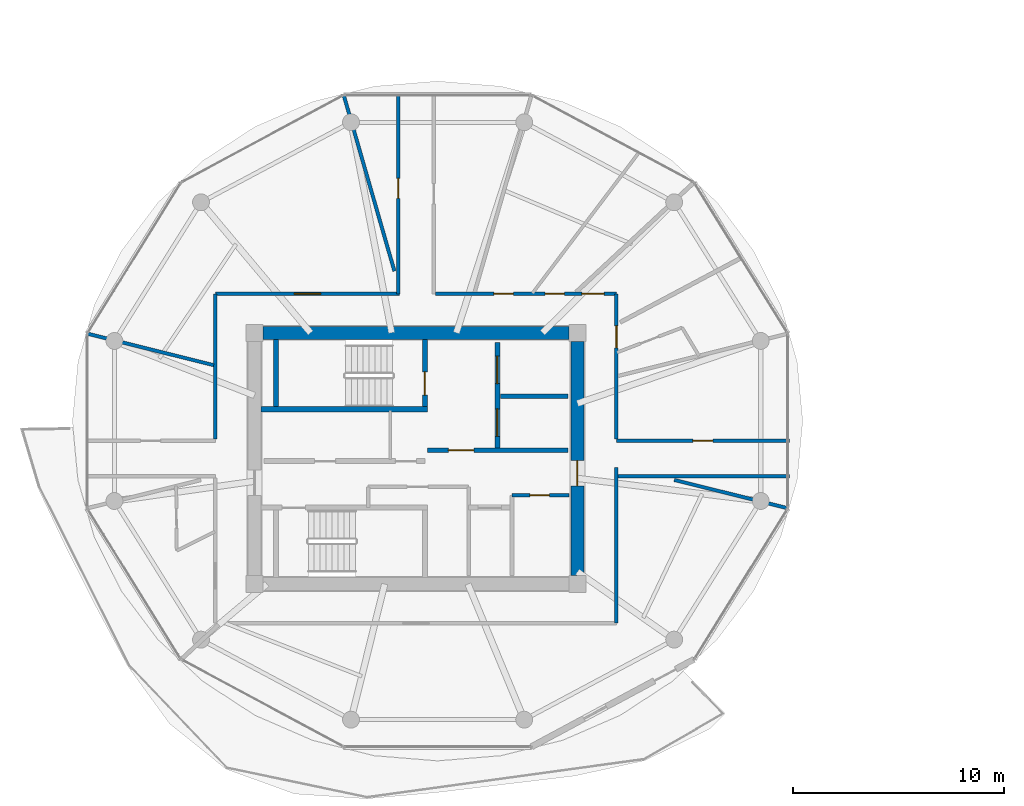
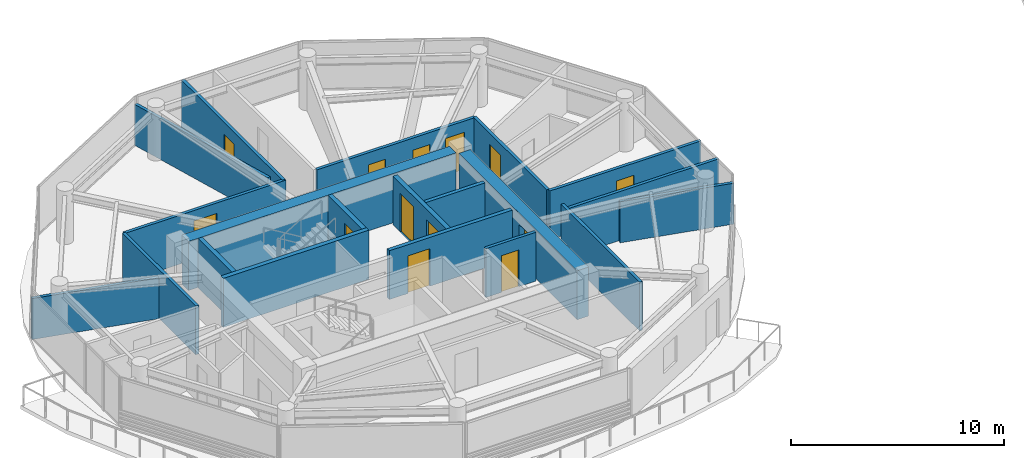
# One storey, part 13 of 23: 20 walls, 13 doors, 13 openings.
"""IFC4 building model written with IfcOpenShell, lengths in metres."""

from ifc_helpers import new_model, si_unit, direction, frame, frame_2d, origin, place, context, subcontext, project, spatial, rectangle, extrude, source, transform, mapped, material, layer, layer_set, type_object, type_shapes, element, fill, save


model = new_model("IFC4")

# Units and contexts
model_context = context("Model", 3, precision=1e-05, world=origin(), true_north=direction((0.0, 1.0)))
body_context = subcontext(model_context, "Body", "Model", "MODEL_VIEW")
ifc_project = project(units=[si_unit("LENGTHUNIT", "METRE"), si_unit("AREAUNIT", "SQUARE_METRE"), si_unit("VOLUMEUNIT", "CUBIC_METRE"), si_unit("PLANEANGLEUNIT", "RADIAN"), si_unit("MASSUNIT", "GRAM", prefix="KILO")], contexts=[model_context])

# Site, building, storey
site_placement = place(None, origin())
site = spatial("IfcSite", under=ifc_project, at=site_placement, CompositionType="ELEMENT")
building_placement = place(site_placement, origin())
building = spatial("IfcBuilding", under=site, at=building_placement, Name="Norrkilde Senior Care Towers", CompositionType="ELEMENT")
storey_placement = place(building_placement, frame((0.0, 0.0, 173.949951171875)))
storey = spatial("IfcBuildingStorey", under=building, at=storey_placement, Name="L54", CompositionType="ELEMENT", Elevation=173.949951171875)

# Wall
ifc_material_1 = material(Name="Concrete C50/60", Category="concrete")
ifc_layer_1 = layer(ifc_material_1, 0.6201171875)
ifc_layer_set_1 = layer_set([ifc_layer_1], Name="Concrete C50/60")
wall_type_1 = type_object("IfcWallType", Name="Core Shear Wall Z3 620", PredefinedType="SHEAR", material=ifc_layer_set_1)
shared_shape_1 = source(origin(), body_context, "Body", "SweptSolid", [
    extrude(rectangle(XDim=14.5, YDim=0.6201171875, at=frame_2d((7.25, 0.0))), origin(), (0.0, 0.0, 1.0), 2.81005859375),
])
wall_1_placement = place(storey_placement, frame((-35.25, 5.949951171875, 0.0), z_axis=(0.0, 0.0, 1.0), x_axis=(1.0, 0.0, 0.0)))
element("IfcWall", 1, at=wall_1_placement, inside=storey, type_object=wall_type_1, Name="L54 Core W North Shear Wall", PredefinedType="SHEAR", context=body_context, shape_type="MappedRepresentation", body=[
    mapped(shared_shape_1, transform((0.0, 0.0, 0.0), x_axis=(1.0, 0.0, 0.0), y_axis=(0.0, 1.0, 0.0), z_axis=(0.0, 0.0, 1.0), scale=1.0)),
])

# Wall, opening, door
shared_shape_2 = source(origin(), body_context, "Body", "SweptSolid", [
    extrude(rectangle(XDim=11.10009765625, YDim=0.6201171875, at=frame_2d((5.550048828125, 0.0))), origin(), (0.0, 0.0, 1.0), 2.81005859375),
])
type_shapes(wall_type_1, [shared_shape_1, shared_shape_2])
wall_2_placement = place(storey_placement, frame((-20.35009765625, 5.550048828125, 0.0), z_axis=(0.0, 0.0, 1.0), x_axis=(0.0, -1.0, 0.0)))
wall_2 = element("IfcWall", 2, at=wall_2_placement, inside=storey, type_object=wall_type_1, Name="L54 Core W East Shear Wall", PredefinedType="SHEAR", context=body_context, shape_type="MappedRepresentation", body=[
    mapped(shared_shape_2, transform((0.0, 0.0, 0.0), x_axis=(1.0, 0.0, 0.0), y_axis=(0.0, 1.0, 0.0), z_axis=(0.0, 0.0, 1.0), scale=1.0)),
])
opening_1_placement = place(wall_2_placement, frame((5.64990234375, 0.0, 0.0)))
opening_1 = element("IfcOpeningElement", 3, at=opening_1_placement, cuts=wall_2, Name="Opening D-04", PredefinedType="OPENING", context=body_context, shape_type="SweptSolid", body=[
    extrude(rectangle(XDim=1.199951171875, YDim=2.14990234375, at=frame_2d((0.60009765625, 1.074951171875))), frame((0.0, 0.320068359375, 0.0), z_axis=(0.0, -1.0, 0.0), x_axis=(1.0, 0.0, 0.0)), (0.0, 0.0, 1.0), 0.64013671875),
])
ifc_material_2 = material(Name="Galvanised Painted Steel", Category="steel")
door_type_1 = type_object("IfcDoorType", Name="Firefighting Lobby Fire Door 1200x2150", OperationType="NOTDEFINED", PredefinedType="DOOR", material=ifc_material_2)
shared_shape_3 = source(origin(), body_context, "Body", "SweptSolid", [
    extrude(rectangle(XDim=1.199951171875, YDim=2.14990234375, at=frame_2d((0.60009765625, 1.074951171875))), frame((0.0, 0.02490234375, 0.0), z_axis=(0.0, -1.0, 0.0), x_axis=(1.0, 0.0, 0.0)), (0.0, 0.0, 1.0), 0.050048828125),
])
type_shapes(door_type_1, [shared_shape_3])
door_1_placement = place(opening_1_placement, frame((1.199951171875, 0.0, 0.0), z_axis=(0.0, 0.0, 1.0), x_axis=(-1.0, 0.0, 0.0)))
door_1 = element("IfcDoor", 4, at=door_1_placement, inside=storey, type_object=door_type_1, Name="L54 Core W East Portal Door", OperationType="SINGLE_SWING_RIGHT", OverallHeight=2.14990234375, OverallWidth=1.199951171875, PredefinedType="DOOR", context=body_context, shape_type="MappedRepresentation", body=[
    mapped(shared_shape_3, transform((0.0, 0.0, 0.0), x_axis=(1.0, 0.0, 0.0), y_axis=(0.0, 1.0, 0.0), z_axis=(0.0, 0.0, 1.0), scale=1.0)),
])
fill(opening_1, door_1)

# Walls
ifc_material_3 = material(Name="Concrete C45/55", Category="concrete")
ifc_layer_2 = layer(ifc_material_3, 0.239990234375)
ifc_layer_set_2 = layer_set([ifc_layer_2], Name="Concrete C45/55")
wall_type_2 = type_object("IfcWallType", Name="Shaft and Stair Enclosure Wall 240", PredefinedType="PARTITIONING", material=ifc_layer_set_2)
shared_shape_4 = source(origin(), body_context, "Body", "SweptSolid", [
    extrude(rectangle(XDim=7.880126953125, YDim=0.239990234375, at=frame_2d((3.93994140625, 0.0))), origin(), (0.0, 0.0, 1.0), 2.81005859375),
])
wall_3_placement = place(storey_placement, frame((-35.340087890625, 2.330078125, 0.0), z_axis=(0.0, 0.0, 1.0), x_axis=(1.0, 0.0, 0.0)))
element("IfcWall", 5, at=wall_3_placement, inside=storey, type_object=wall_type_2, Name="WL-INT-L54-W-ST1S", PredefinedType="PARTITIONING", context=body_context, shape_type="MappedRepresentation", body=[
    mapped(shared_shape_4, transform((0.0, 0.0, 0.0), x_axis=(1.0, 0.0, 0.0), y_axis=(0.0, 1.0, 0.0), z_axis=(0.0, 0.0, 1.0), scale=1.0)),
])
shared_shape_5 = source(origin(), body_context, "Body", "SweptSolid", [
    extrude(rectangle(XDim=3.18994140625, YDim=0.239990234375, at=frame_2d((1.594970703125, 0.0))), origin(), (0.0, 0.0, 1.0), 2.81005859375),
])
type_shapes(wall_type_2, [shared_shape_4, shared_shape_5])
wall_4_placement = place(storey_placement, frame((-34.6201171875, 2.449951171875, 0.0), z_axis=(0.0, 0.0, 1.0), x_axis=(0.0, 1.0, 0.0)))
element("IfcWall", 6, at=wall_4_placement, inside=storey, type_object=wall_type_2, Name="WL-INT-L54-W-ST1W", PredefinedType="PARTITIONING", context=body_context, shape_type="MappedRepresentation", body=[
    mapped(shared_shape_5, transform((0.0, 0.0, 0.0), x_axis=(1.0, 0.0, 0.0), y_axis=(0.0, 1.0, 0.0), z_axis=(0.0, 0.0, 1.0), scale=1.0)),
])

# Wall, opening, door
wall_5_placement = place(storey_placement, frame((-27.580078125, 2.449951171875, 0.0), z_axis=(0.0, 0.0, 1.0), x_axis=(0.0, 1.0, 0.0)))
wall_5 = element("IfcWall", 7, at=wall_5_placement, inside=storey, type_object=wall_type_2, Name="WL-INT-L54-W-ST1E", PredefinedType="PARTITIONING", context=body_context, shape_type="MappedRepresentation", body=[
    mapped(shared_shape_5, transform((0.0, 0.0, 0.0), x_axis=(1.0, 0.0, 0.0), y_axis=(0.0, 1.0, 0.0), z_axis=(0.0, 0.0, 1.0), scale=1.0)),
])
opening_2_placement = place(wall_5_placement, frame((0.550048828125, 0.0, 0.0)))
opening_2 = element("IfcOpeningElement", 8, at=opening_2_placement, cuts=wall_5, Name="Opening D-03", PredefinedType="OPENING", context=body_context, shape_type="SweptSolid", body=[
    extrude(rectangle(XDim=1.10009765625, YDim=2.14990234375, at=frame_2d((0.550048828125, 1.074951171875))), frame((0.0, 0.1298828125, 0.0), z_axis=(0.0, -1.0, 0.0), x_axis=(1.0, 0.0, 0.0)), (0.0, 0.0, 1.0), 0.260009765625),
])
door_type_2 = type_object("IfcDoorType", Name="Stairwell Protected Fire Door 1100x2150", OperationType="NOTDEFINED", PredefinedType="DOOR", material=ifc_material_2)
shared_shape_6 = source(origin(), body_context, "Body", "SweptSolid", [
    extrude(rectangle(XDim=1.10009765625, YDim=2.14990234375, at=frame_2d((0.550048828125, 1.074951171875))), frame((0.0, 0.02490234375, 0.0), z_axis=(0.0, -1.0, 0.0), x_axis=(1.0, 0.0, 0.0)), (0.0, 0.0, 1.0), 0.050048828125),
])
type_shapes(door_type_2, [shared_shape_6])
door_2_placement = place(opening_2_placement, origin())
door_2 = element("IfcDoor", 9, at=door_2_placement, inside=storey, type_object=door_type_2, Name="L54 Stair W1 Fire Door", OperationType="SINGLE_SWING_LEFT", OverallHeight=2.14990234375, OverallWidth=1.10009765625, PredefinedType="DOOR", context=body_context, shape_type="MappedRepresentation", body=[
    mapped(shared_shape_6, transform((0.0, 0.0, 0.0), x_axis=(1.0, 0.0, 0.0), y_axis=(0.0, 1.0, 0.0), z_axis=(0.0, 0.0, 1.0), scale=1.0)),
])
fill(opening_2, door_2)

# Wall, openings, doors
ifc_layer_3 = layer(ifc_material_3, 0.239990234375)
ifc_layer_set_3 = layer_set([ifc_layer_3], Name="Concrete C45/55")
wall_type_3 = type_object("IfcWallType", Name="Lift and Plant Rated Enclosure Partition 240", PredefinedType="PARTITIONING", material=ifc_layer_set_3)
shared_shape_7 = source(origin(), body_context, "Body", "SweptSolid", [
    extrude(rectangle(XDim=5.0, YDim=0.239990234375, at=frame_2d((2.5, 0.0))), origin(), (0.0, 0.0, 1.0), 2.795166015625),
])
type_shapes(wall_type_3, [shared_shape_7])
wall_6_placement = place(storey_placement, frame((-24.139892578125, 0.5, 0.0), z_axis=(0.0, 0.0, 1.0), x_axis=(0.0, 1.0, 0.0)))
wall_6 = element("IfcWall", 10, at=wall_6_placement, inside=storey, type_object=wall_type_3, Name="WL-INT-L54-W-FFLE", PredefinedType="PARTITIONING", context=body_context, shape_type="MappedRepresentation", body=[
    mapped(shared_shape_7, transform((0.0, 0.0, 0.0), x_axis=(1.0, 0.0, 0.0), y_axis=(0.0, 1.0, 0.0), z_axis=(0.0, 0.0, 1.0), scale=1.0)),
])
opening_3_placement = place(wall_6_placement, frame((3.050048828125, 0.0, 0.0)))
opening_3 = element("IfcOpeningElement", 11, at=opening_3_placement, cuts=wall_6, Name="Opening LD-02", PredefinedType="OPENING", context=body_context, shape_type="SweptSolid", body=[
    extrude(rectangle(XDim=1.300048828125, YDim=2.199951171875, at=frame_2d((0.64990234375, 1.10009765625))), frame((0.0, 0.1298828125, 0.0), z_axis=(0.0, -1.0, 0.0), x_axis=(1.0, 0.0, 0.0)), (0.0, 0.0, 1.0), 0.260009765625),
])
opening_4_placement = place(wall_6_placement, frame((0.550048828125, 0.0, 0.0)))
opening_4 = element("IfcOpeningElement", 12, at=opening_4_placement, cuts=wall_6, Name="Opening LD-02", PredefinedType="OPENING", context=body_context, shape_type="SweptSolid", body=[
    extrude(rectangle(XDim=1.300048828125, YDim=2.199951171875, at=frame_2d((0.64990234375, 1.10009765625))), frame((0.0, 0.1298828125, 0.0), z_axis=(0.0, -1.0, 0.0), x_axis=(1.0, 0.0, 0.0)), (0.0, 0.0, 1.0), 0.260009765625),
])
ifc_material_4 = material(Name="Stainless Steel", Category="steel")
door_type_3 = type_object("IfcDoorType", Name="Stretcher and FFL Landing Sliding Door 1300x2200", OperationType="NOTDEFINED", PredefinedType="DOOR", material=ifc_material_4)
shared_shape_8 = source(origin(), body_context, "Body", "SweptSolid", [
    extrude(rectangle(XDim=1.300048828125, YDim=2.199951171875, at=frame_2d((0.64990234375, 1.10009765625))), frame((0.0, 0.02490234375, 0.0), z_axis=(0.0, -1.0, 0.0), x_axis=(1.0, 0.0, 0.0)), (0.0, 0.0, 1.0), 0.050048828125),
])
type_shapes(door_type_3, [shared_shape_8])
door_3_placement = place(opening_3_placement, origin())
door_3 = element("IfcDoor", 13, at=door_3_placement, inside=storey, type_object=door_type_3, Name="L54 Firefighting Lift W1 Landing Door", OperationType="SLIDING_TO_LEFT", OverallHeight=2.199951171875, OverallWidth=1.300048828125, PredefinedType="DOOR", context=body_context, shape_type="MappedRepresentation", body=[
    mapped(shared_shape_8, transform((0.0, 0.0, 0.0), x_axis=(1.0, 0.0, 0.0), y_axis=(0.0, 1.0, 0.0), z_axis=(0.0, 0.0, 1.0), scale=1.0)),
])
fill(opening_3, door_3)
door_4_placement = place(opening_4_placement, origin())
door_4 = element("IfcDoor", 14, at=door_4_placement, inside=storey, type_object=door_type_3, Name="L54 Stretcher Lift W1 Landing Door", OperationType="SLIDING_TO_RIGHT", OverallHeight=2.199951171875, OverallWidth=1.300048828125, PredefinedType="DOOR", context=body_context, shape_type="MappedRepresentation", body=[
    mapped(shared_shape_8, transform((0.0, 0.0, 0.0), x_axis=(1.0, 0.0, 0.0), y_axis=(0.0, 1.0, 0.0), z_axis=(0.0, 0.0, 1.0), scale=1.0)),
])
fill(opening_4, door_4)

# Wall
ifc_layer_4 = layer(ifc_material_3, 0.199951171875)
ifc_layer_set_4 = layer_set([ifc_layer_4], Name="Concrete C45/55")
wall_type_4 = type_object("IfcWallType", Name="Shaft Division and Plant Partition 200", PredefinedType="PARTITIONING", material=ifc_layer_set_4)
shared_shape_9 = source(origin(), body_context, "Body", "SweptSolid", [
    extrude(rectangle(XDim=3.199951171875, YDim=0.199951171875, at=frame_2d((1.60009765625, 0.0))), origin(), (0.0, 0.0, 1.0), 2.795166015625),
])
type_shapes(wall_type_4, [shared_shape_9])
wall_7_placement = place(storey_placement, frame((-24.0, 2.949951171875, 0.0), z_axis=(0.0, 0.0, 1.0), x_axis=(1.0, 0.0, 0.0)))
element("IfcWall", 15, at=wall_7_placement, inside=storey, type_object=wall_type_4, Name="WL-INT-L54-W-FFLDIV", PredefinedType="PARTITIONING", context=body_context, shape_type="MappedRepresentation", body=[
    mapped(shared_shape_9, transform((0.0, 0.0, 0.0), x_axis=(1.0, 0.0, 0.0), y_axis=(0.0, 1.0, 0.0), z_axis=(0.0, 0.0, 1.0), scale=1.0)),
])

# Wall, opening, door
ifc_layer_5 = layer(ifc_material_3, 0.2099609375)
ifc_layer_set_5 = layer_set([ifc_layer_5], Name="Concrete C45/55")
wall_type_5 = type_object("IfcWallType", Name="Firefighting Lobby Wall 210", PredefinedType="PARTITIONING", material=ifc_layer_set_5)
shared_shape_10 = source(origin(), body_context, "Body", "SweptSolid", [
    extrude(rectangle(XDim=6.659912109375, YDim=0.2099609375, at=frame_2d((3.330078125, 0.0))), origin(), (0.0, 0.0, 1.0), 2.795166015625),
])
type_shapes(wall_type_5, [shared_shape_10])
wall_8_placement = place(storey_placement, frame((-27.4599609375, 0.389892578125, 0.0), z_axis=(0.0, 0.0, 1.0), x_axis=(1.0, 0.0, 0.0)))
wall_8 = element("IfcWall", 16, at=wall_8_placement, inside=storey, type_object=wall_type_5, Name="WL-INT-L54-W-FFLS", PredefinedType="PARTITIONING", context=body_context, shape_type="MappedRepresentation", body=[
    mapped(shared_shape_10, transform((0.0, 0.0, 0.0), x_axis=(1.0, 0.0, 0.0), y_axis=(0.0, 1.0, 0.0), z_axis=(0.0, 0.0, 1.0), scale=1.0)),
])
opening_5_placement = place(wall_8_placement, frame((1.0, 0.0, 0.0)))
opening_5 = element("IfcOpeningElement", 17, at=opening_5_placement, cuts=wall_8, Name="Opening D-04", PredefinedType="OPENING", context=body_context, shape_type="SweptSolid", body=[
    extrude(rectangle(XDim=1.199951171875, YDim=2.14990234375, at=frame_2d((0.60009765625, 1.074951171875))), frame((0.0, 0.114990234375, 0.0), z_axis=(0.0, -1.0, 0.0), x_axis=(1.0, 0.0, 0.0)), (0.0, 0.0, 1.0), 0.22998046875),
])
door_5_placement = place(opening_5_placement, frame((1.199951171875, 0.0, 0.0), z_axis=(0.0, 0.0, 1.0), x_axis=(-1.0, 0.0, 0.0)))
door_5 = element("IfcDoor", 18, at=door_5_placement, inside=storey, type_object=door_type_1, Name="L54 Firefighting Lobby W Door", OperationType="SINGLE_SWING_LEFT", OverallHeight=2.14990234375, OverallWidth=1.199951171875, PredefinedType="DOOR", context=body_context, shape_type="MappedRepresentation", body=[
    mapped(shared_shape_3, transform((0.0, 0.0, 0.0), x_axis=(1.0, 0.0, 0.0), y_axis=(0.0, 1.0, 0.0), z_axis=(0.0, 0.0, 1.0), scale=1.0)),
])
fill(opening_5, door_5)

ifc_material_5 = material(Name="Gypsum Acoustic Board")
ifc_layer_6 = layer(ifc_material_5, 0.1650390625)
ifc_layer_set_6 = layer_set([ifc_layer_6], Name="Gypsum Acoustic Board")
wall_type_6 = type_object("IfcWallType", Name="Corridor Rated Partition 165", PredefinedType="PARTITIONING", material=ifc_layer_set_6)
shared_shape_11 = source(origin(), body_context, "Body", "SweptSolid", [
    extrude(rectangle(XDim=2.699951171875, YDim=0.1650390625, at=frame_2d((1.35009765625, 0.0))), origin(), (0.0, 0.0, 1.0), 2.795166015625),
])
wall_9_placement = place(storey_placement, frame((-23.449951171875, -1.75, 0.0), z_axis=(0.0, 0.0, 1.0), x_axis=(1.0, 0.0, 0.0)))
wall_9 = element("IfcWall", 19, at=wall_9_placement, inside=storey, type_object=wall_type_6, Name="WL-INT-L54-W-CSN", PredefinedType="PARTITIONING", context=body_context, shape_type="MappedRepresentation", body=[
    mapped(shared_shape_11, transform((0.0, 0.0, 0.0), x_axis=(1.0, 0.0, 0.0), y_axis=(0.0, 1.0, 0.0), z_axis=(0.0, 0.0, 1.0), scale=1.0)),
])
opening_6_placement = place(wall_9_placement, frame((0.85009765625, 0.0, 0.0)))
opening_6 = element("IfcOpeningElement", 20, at=opening_6_placement, cuts=wall_9, Name="Opening D-12", PredefinedType="OPENING", context=body_context, shape_type="SweptSolid", body=[
    extrude(rectangle(XDim=0.925048828125, YDim=2.10009765625, at=frame_2d((0.46240234375, 1.050048828125))), frame((0.0, 0.092529296875, 0.0), z_axis=(0.0, -1.0, 0.0), x_axis=(1.0, 0.0, 0.0)), (0.0, 0.0, 1.0), 0.18505859375),
])
door_type_4 = type_object("IfcDoorType", Name="Core Wet Room Rated Door 925x2100", OperationType="NOTDEFINED", PredefinedType="DOOR", material=ifc_material_2)
shared_shape_12 = source(origin(), body_context, "Body", "SweptSolid", [
    extrude(rectangle(XDim=0.925048828125, YDim=2.10009765625, at=frame_2d((0.46240234375, 1.050048828125))), frame((0.0, 0.02490234375, 0.0), z_axis=(0.0, -1.0, 0.0), x_axis=(1.0, 0.0, 0.0)), (0.0, 0.0, 1.0), 0.050048828125),
])
type_shapes(door_type_4, [shared_shape_12])
door_6_placement = place(opening_6_placement, origin())
door_6 = element("IfcDoor", 21, at=door_6_placement, inside=storey, type_object=door_type_4, Name="L54 Core Utility W Door", OperationType="SINGLE_SWING_LEFT", OverallHeight=2.10009765625, OverallWidth=0.925048828125, PredefinedType="DOOR", context=body_context, shape_type="MappedRepresentation", body=[
    mapped(shared_shape_12, transform((0.0, 0.0, 0.0), x_axis=(1.0, 0.0, 0.0), y_axis=(0.0, 1.0, 0.0), z_axis=(0.0, 0.0, 1.0), scale=1.0)),
])
fill(opening_6, door_6)

shared_shape_13 = source(origin(), body_context, "Body", "SweptSolid", [
    extrude(rectangle(XDim=8.719482421875, YDim=0.1650390625, at=frame_2d((4.35986328125, 0.0))), origin(), (0.0, 0.0, 1.0), 2.795166015625),
])
wall_10_placement = place(storey_placement, frame((-37.5, 7.800048828125, 0.0), z_axis=(0.0, 0.0, 1.0), x_axis=(1.0, 0.0, 0.0)))
wall_10 = element("IfcWall", 22, at=wall_10_placement, inside=storey, type_object=wall_type_6, Name="WL-INT-L54-W-CRW-N-0", PredefinedType="PARTITIONING", context=body_context, shape_type="MappedRepresentation", body=[
    mapped(shared_shape_13, transform((0.0, 0.0, 0.0), x_axis=(1.0, 0.0, 0.0), y_axis=(0.0, 1.0, 0.0), z_axis=(0.0, 0.0, 1.0), scale=1.0)),
])
opening_7_placement = place(wall_10_placement, frame((3.73486328125, 0.0, 0.0)))
opening_7 = element("IfcOpeningElement", 23, at=opening_7_placement, cuts=wall_10, Name="Opening D-05", PredefinedType="OPENING", context=body_context, shape_type="SweptSolid", body=[
    extrude(rectangle(XDim=1.25, YDim=2.199951171875, at=frame_2d((0.625, 1.10009765625))), frame((0.0, 0.092529296875, 0.0), z_axis=(0.0, -1.0, 0.0), x_axis=(1.0, 0.0, 0.0)), (0.0, 0.0, 1.0), 0.18505859375),
])
ifc_material_6 = material(Name="Nordic Ash Timber", Category="wood")
door_type_5 = type_object("IfcDoorType", Name="Care Bedroom Bariatric Door 1250x2200", OperationType="NOTDEFINED", PredefinedType="DOOR", material=ifc_material_6)
shared_shape_14 = source(origin(), body_context, "Body", "SweptSolid", [
    extrude(rectangle(XDim=1.25, YDim=2.199951171875, at=frame_2d((0.625, 1.10009765625))), frame((0.0, 0.02490234375, 0.0), z_axis=(0.0, -1.0, 0.0), x_axis=(1.0, 0.0, 0.0)), (0.0, 0.0, 1.0), 0.050048828125),
])
type_shapes(door_type_5, [shared_shape_14])
door_7_placement = place(opening_7_placement, frame((1.25, 0.0, 0.0), z_axis=(0.0, 0.0, 1.0), x_axis=(-1.0, 0.0, 0.0)))
door_7 = element("IfcDoor", 24, at=door_7_placement, inside=storey, type_object=door_type_5, Name="L54 Geriatric Rehabilitation Clinic Door", OperationType="SINGLE_SWING_RIGHT", OverallHeight=2.199951171875, OverallWidth=1.25, PredefinedType="DOOR", context=body_context, shape_type="MappedRepresentation", body=[
    mapped(shared_shape_14, transform((0.0, 0.0, 0.0), x_axis=(1.0, 0.0, 0.0), y_axis=(0.0, 1.0, 0.0), z_axis=(0.0, 0.0, 1.0), scale=1.0)),
])
fill(opening_7, door_7)

# Wall, openings, doors
shared_shape_15 = source(origin(), body_context, "Body", "SweptSolid", [
    extrude(rectangle(XDim=8.580078125, YDim=0.1650390625, at=frame_2d((4.2900390625, 0.0))), origin(), (0.0, 0.0, 1.0), 2.795166015625),
])
wall_11_placement = place(storey_placement, frame((-27.080078125, 7.800048828125, 0.0), z_axis=(0.0, 0.0, 1.0), x_axis=(1.0, 0.0, 0.0)))
wall_11 = element("IfcWall", 25, at=wall_11_placement, inside=storey, type_object=wall_type_6, Name="WL-INT-L54-W-CRW-N-1", PredefinedType="PARTITIONING", context=body_context, shape_type="MappedRepresentation", body=[
    mapped(shared_shape_15, transform((0.0, 0.0, 0.0), x_axis=(1.0, 0.0, 0.0), y_axis=(0.0, 1.0, 0.0), z_axis=(0.0, 0.0, 1.0), scale=1.0)),
])
opening_8_placement = place(wall_11_placement, frame((6.93994140625, 0.0, 0.0)))
opening_8 = element("IfcOpeningElement", 26, at=opening_8_placement, cuts=wall_11, Name="Opening D-06", PredefinedType="OPENING", context=body_context, shape_type="SweptSolid", body=[
    extrude(rectangle(XDim=1.050048828125, YDim=2.14990234375, at=frame_2d((0.52490234375, 1.074951171875))), frame((0.0, 0.092529296875, 0.0), z_axis=(0.0, -1.0, 0.0), x_axis=(1.0, 0.0, 0.0)), (0.0, 0.0, 1.0), 0.18505859375),
])
opening_9_placement = place(wall_11_placement, frame((5.197265625, 0.0, 0.0)))
opening_9 = element("IfcOpeningElement", 27, at=opening_9_placement, cuts=wall_11, Name="Opening D-08", PredefinedType="OPENING", context=body_context, shape_type="SweptSolid", body=[
    extrude(rectangle(XDim=0.919921875, YDim=2.10009765625, at=frame_2d((0.4599609375, 1.050048828125))), frame((0.0, 0.092529296875, 0.0), z_axis=(0.0, -1.0, 0.0), x_axis=(1.0, 0.0, 0.0)), (0.0, 0.0, 1.0), 0.18505859375),
])
opening_10_placement = place(wall_11_placement, frame((2.777587890625, 0.0, 0.0)))
opening_10 = element("IfcOpeningElement", 28, at=opening_10_placement, cuts=wall_11, Name="Opening D-08", PredefinedType="OPENING", context=body_context, shape_type="SweptSolid", body=[
    extrude(rectangle(XDim=0.919921875, YDim=2.10009765625, at=frame_2d((0.4599609375, 1.050048828125))), frame((0.0, 0.092529296875, 0.0), z_axis=(0.0, -1.0, 0.0), x_axis=(1.0, 0.0, 0.0)), (0.0, 0.0, 1.0), 0.18505859375),
])
door_type_6 = type_object("IfcDoorType", Name="Accessible Wet Room Door 920x2100", OperationType="NOTDEFINED", PredefinedType="DOOR", material=ifc_material_6)
shared_shape_16 = source(origin(), body_context, "Body", "SweptSolid", [
    extrude(rectangle(XDim=0.919921875, YDim=2.10009765625, at=frame_2d((0.4599609375, 1.050048828125))), frame((0.0, 0.02490234375, 0.0), z_axis=(0.0, -1.0, 0.0), x_axis=(1.0, 0.0, 0.0)), (0.0, 0.0, 1.0), 0.050048828125),
])
type_shapes(door_type_6, [shared_shape_16])
door_8_placement = place(opening_9_placement, frame((0.919921875, 0.0, 0.0), z_axis=(0.0, 0.0, 1.0), x_axis=(-1.0, 0.0, 0.0)))
door_8 = element("IfcDoor", 29, at=door_8_placement, inside=storey, type_object=door_type_6, Name="L54 Accessible Restroom Door", OperationType="SINGLE_SWING_RIGHT", OverallHeight=2.10009765625, OverallWidth=0.919921875, PredefinedType="DOOR", context=body_context, shape_type="MappedRepresentation", body=[
    mapped(shared_shape_16, transform((0.0, 0.0, 0.0), x_axis=(1.0, 0.0, 0.0), y_axis=(0.0, 1.0, 0.0), z_axis=(0.0, 0.0, 1.0), scale=1.0)),
])
fill(opening_9, door_8)
door_9_placement = place(opening_10_placement, frame((0.919921875, 0.0, 0.0), z_axis=(0.0, 0.0, 1.0), x_axis=(-1.0, 0.0, 0.0)))
door_9 = element("IfcDoor", 30, at=door_9_placement, inside=storey, type_object=door_type_6, Name="L54 Public Restroom Door", OperationType="SINGLE_SWING_LEFT", OverallHeight=2.10009765625, OverallWidth=0.919921875, PredefinedType="DOOR", context=body_context, shape_type="MappedRepresentation", body=[
    mapped(shared_shape_16, transform((0.0, 0.0, 0.0), x_axis=(1.0, 0.0, 0.0), y_axis=(0.0, 1.0, 0.0), z_axis=(0.0, 0.0, 1.0), scale=1.0)),
])
fill(opening_10, door_9)
door_type_7 = type_object("IfcDoorType", Name="Apartment Entrance Fire Door 1050x2150", OperationType="NOTDEFINED", PredefinedType="DOOR", material=ifc_material_6)
shared_shape_17 = source(origin(), body_context, "Body", "SweptSolid", [
    extrude(rectangle(XDim=1.050048828125, YDim=2.14990234375, at=frame_2d((0.52490234375, 1.074951171875))), frame((0.0, 0.02490234375, 0.0), z_axis=(0.0, -1.0, 0.0), x_axis=(1.0, 0.0, 0.0)), (0.0, 0.0, 1.0), 0.050048828125),
])
type_shapes(door_type_7, [shared_shape_17])
door_10_placement = place(opening_8_placement, frame((1.050048828125, 0.0, 0.0), z_axis=(0.0, 0.0, 1.0), x_axis=(-1.0, 0.0, 0.0)))
door_10 = element("IfcDoor", 31, at=door_10_placement, inside=storey, type_object=door_type_7, Name="L54 Therapy Day Lounge 00 Door", OperationType="SINGLE_SWING_RIGHT", OverallHeight=2.14990234375, OverallWidth=1.050048828125, PredefinedType="DOOR", context=body_context, shape_type="MappedRepresentation", body=[
    mapped(shared_shape_17, transform((0.0, 0.0, 0.0), x_axis=(1.0, 0.0, 0.0), y_axis=(0.0, 1.0, 0.0), z_axis=(0.0, 0.0, 1.0), scale=1.0)),
])
fill(opening_8, door_10)

# Wall
shared_shape_18 = source(origin(), body_context, "Body", "SweptSolid", [
    extrude(rectangle(XDim=6.880126953125, YDim=0.1650390625, at=frame_2d((3.43994140625, 0.0))), origin(), (0.0, 0.0, 1.0), 2.795166015625),
])
wall_12_placement = place(storey_placement, frame((-37.5, 0.919921875, 0.0), z_axis=(0.0, 0.0, 1.0), x_axis=(0.0, 1.0, 0.0)))
element("IfcWall", 32, at=wall_12_placement, inside=storey, type_object=wall_type_6, Name="WL-INT-L54-W-CRW-W-1", PredefinedType="PARTITIONING", context=body_context, shape_type="MappedRepresentation", body=[
    mapped(shared_shape_18, transform((0.0, 0.0, 0.0), x_axis=(1.0, 0.0, 0.0), y_axis=(0.0, 1.0, 0.0), z_axis=(0.0, 0.0, 1.0), scale=1.0)),
])

# Wall, opening, door
wall_13_placement = place(storey_placement, frame((-18.5, 7.800048828125, 0.0), z_axis=(0.0, 0.0, 1.0), x_axis=(0.0, -1.0, 0.0)))
wall_13 = element("IfcWall", 33, at=wall_13_placement, inside=storey, type_object=wall_type_6, Name="WL-INT-L54-W-CRW-E-0", PredefinedType="PARTITIONING", context=body_context, shape_type="MappedRepresentation", body=[
    mapped(shared_shape_18, transform((0.0, 0.0, 0.0), x_axis=(1.0, 0.0, 0.0), y_axis=(0.0, 1.0, 0.0), z_axis=(0.0, 0.0, 1.0), scale=1.0)),
])
opening_11_placement = place(wall_13_placement, frame((1.514892578125, 0.0, 0.0)))
opening_11 = element("IfcOpeningElement", 34, at=opening_11_placement, cuts=wall_13, Name="Opening D-06", PredefinedType="OPENING", context=body_context, shape_type="SweptSolid", body=[
    extrude(rectangle(XDim=1.050048828125, YDim=2.14990234375, at=frame_2d((0.52490234375, 1.074951171875))), frame((0.0, 0.092529296875, 0.0), z_axis=(0.0, -1.0, 0.0), x_axis=(1.0, 0.0, 0.0)), (0.0, 0.0, 1.0), 0.18505859375),
])
door_11_placement = place(opening_11_placement, frame((1.050048828125, 0.0, 0.0), z_axis=(0.0, 0.0, 1.0), x_axis=(-1.0, 0.0, 0.0)))
door_11 = element("IfcDoor", 35, at=door_11_placement, inside=storey, type_object=door_type_7, Name="L54 Care Suite 5400A Entrance Door", OperationType="SINGLE_SWING_LEFT", OverallHeight=2.14990234375, OverallWidth=1.050048828125, PredefinedType="DOOR", context=body_context, shape_type="MappedRepresentation", body=[
    mapped(shared_shape_17, transform((0.0, 0.0, 0.0), x_axis=(1.0, 0.0, 0.0), y_axis=(0.0, 1.0, 0.0), z_axis=(0.0, 0.0, 1.0), scale=1.0)),
])
fill(opening_11, door_11)

# Walls
shared_shape_19 = source(origin(), body_context, "Body", "SweptSolid", [
    extrude(rectangle(XDim=7.364501953125, YDim=0.1650390625, at=frame_2d((3.68212890625, 0.0))), origin(), (0.0, 0.0, 1.0), 2.795166015625),
])
wall_14_placement = place(storey_placement, frame((-18.5, -0.435546875, 0.0), z_axis=(0.0, 0.0, 1.0), x_axis=(0.0, -1.0, 0.0)))
element("IfcWall", 36, at=wall_14_placement, inside=storey, type_object=wall_type_6, Name="WL-INT-L54-W-CRW-E-1", PredefinedType="PARTITIONING", context=body_context, shape_type="MappedRepresentation", body=[
    mapped(shared_shape_19, transform((0.0, 0.0, 0.0), x_axis=(1.0, 0.0, 0.0), y_axis=(0.0, 1.0, 0.0), z_axis=(0.0, 0.0, 1.0), scale=1.0)),
])
shared_shape_20 = source(origin(), body_context, "Body", "SweptSolid", [
    extrude(rectangle(XDim=8.695068359375, YDim=0.1650390625, at=frame_2d((4.34765625, 0.0))), origin(), (0.0, 0.0, 1.0), 2.344970703125),
])
wall_15_placement = place(storey_placement, frame((-29.02001953125, 8.875, 0.0), z_axis=(0.0, 0.0, 1.0), x_axis=(-0.276797231892, 0.960928349263, 0.0)))
element("IfcWall", 37, at=wall_15_placement, inside=storey, type_object=wall_type_6, Name="WL-INT-L54-W-DEM-03-0", PredefinedType="PARTITIONING", context=body_context, shape_type="MappedRepresentation", body=[
    mapped(shared_shape_20, transform((0.0, 0.0, 0.0), x_axis=(1.0, 0.0, 0.0), y_axis=(0.0, 1.0, 0.0), z_axis=(0.0, 0.0, 1.0), scale=1.0)),
])
shared_shape_21 = source(origin(), body_context, "Body", "SweptSolid", [
    extrude(rectangle(XDim=6.192626953125, YDim=0.1650390625, at=frame_2d((3.09619140625, 0.0))), origin(), (0.0, 0.0, 1.0), 2.344970703125),
])
wall_16_placement = place(storey_placement, frame((-37.580078125, 4.418701171875, 0.0), z_axis=(0.0, 0.0, 1.0), x_axis=(-0.970309243466, 0.241867674657, 0.0)))
element("IfcWall", 38, at=wall_16_placement, inside=storey, type_object=wall_type_6, Name="WL-INT-L54-W-DEM-05-0", PredefinedType="PARTITIONING", context=body_context, shape_type="MappedRepresentation", body=[
    mapped(shared_shape_21, transform((0.0, 0.0, 0.0), x_axis=(1.0, 0.0, 0.0), y_axis=(0.0, 1.0, 0.0), z_axis=(0.0, 0.0, 1.0), scale=1.0)),
])
shared_shape_22 = source(origin(), body_context, "Body", "SweptSolid", [
    extrude(rectangle(XDim=5.564453125, YDim=0.1650390625, at=frame_2d((2.7822265625, 0.0))), origin(), (0.0, 0.0, 1.0), 2.344970703125),
])
wall_17_placement = place(storey_placement, frame((-15.76025390625, -1.02001953125, 0.0), z_axis=(0.0, 0.0, 1.0), x_axis=(0.970315176167, -0.241843872984, 0.0)))
element("IfcWall", 39, at=wall_17_placement, inside=storey, type_object=wall_type_6, Name="WL-INT-L54-W-DEM-11-0", PredefinedType="PARTITIONING", context=body_context, shape_type="MappedRepresentation", body=[
    mapped(shared_shape_22, transform((0.0, 0.0, 0.0), x_axis=(1.0, 0.0, 0.0), y_axis=(0.0, 1.0, 0.0), z_axis=(0.0, 0.0, 1.0), scale=1.0)),
])

# Wall, opening, door
shared_shape_23 = source(origin(), body_context, "Body", "SweptSolid", [
    extrude(rectangle(XDim=9.480224609375, YDim=0.1650390625, at=frame_2d((4.740234375, 0.0))), origin(), (0.0, 0.0, 1.0), 2.795166015625),
])
wall_18_placement = place(storey_placement, frame((-28.840087890625, 7.800048828125, 0.0), z_axis=(0.0, 0.0, 1.0), x_axis=(0.0, 1.0, 0.0)))
wall_18 = element("IfcWall", 40, at=wall_18_placement, inside=storey, type_object=wall_type_6, Name="WL-INT-L54-W-SPK-N1-0", PredefinedType="PARTITIONING", context=body_context, shape_type="MappedRepresentation", body=[
    mapped(shared_shape_23, transform((0.0, 0.0, 0.0), x_axis=(1.0, 0.0, 0.0), y_axis=(0.0, 1.0, 0.0), z_axis=(0.0, 0.0, 1.0), scale=1.0)),
])
opening_12_placement = place(wall_18_placement, frame((4.5205078125, 0.0, 0.0)))
opening_12 = element("IfcOpeningElement", 41, at=opening_12_placement, cuts=wall_18, Name="Opening D-07", PredefinedType="OPENING", context=body_context, shape_type="SweptSolid", body=[
    extrude(rectangle(XDim=0.949951171875, YDim=2.10009765625, at=frame_2d((0.47509765625, 1.050048828125))), frame((0.0, 0.092529296875, 0.0), z_axis=(0.0, -1.0, 0.0), x_axis=(1.0, 0.0, 0.0)), (0.0, 0.0, 1.0), 0.18505859375),
])
door_type_8 = type_object("IfcDoorType", Name="Internal Suite Bedroom Door 950x2100", OperationType="NOTDEFINED", PredefinedType="DOOR", material=ifc_material_6)
shared_shape_24 = source(origin(), body_context, "Body", "SweptSolid", [
    extrude(rectangle(XDim=0.949951171875, YDim=2.10009765625, at=frame_2d((0.47509765625, 1.050048828125))), frame((0.0, 0.02490234375, 0.0), z_axis=(0.0, -1.0, 0.0), x_axis=(1.0, 0.0, 0.0)), (0.0, 0.0, 1.0), 0.050048828125),
])
type_shapes(door_type_8, [shared_shape_24])
door_12_placement = place(opening_12_placement, frame((0.949951171875, 0.0, 0.0), z_axis=(0.0, 0.0, 1.0), x_axis=(-1.0, 0.0, 0.0)))
door_12 = element("IfcDoor", 42, at=door_12_placement, inside=storey, type_object=door_type_8, Name="L54 Sun Reading Lounge 3 Door", OperationType="SINGLE_SWING_RIGHT", OverallHeight=2.10009765625, OverallWidth=0.949951171875, PredefinedType="DOOR", context=body_context, shape_type="MappedRepresentation", body=[
    mapped(shared_shape_24, transform((0.0, 0.0, 0.0), x_axis=(1.0, 0.0, 0.0), y_axis=(0.0, 1.0, 0.0), z_axis=(0.0, 0.0, 1.0), scale=1.0)),
])
fill(opening_12, door_12)

shared_shape_25 = source(origin(), body_context, "Body", "SweptSolid", [
    extrude(rectangle(XDim=8.18896484375, YDim=0.1650390625, at=frame_2d((4.094482421875, 0.0))), origin(), (0.0, 0.0, 1.0), 2.795166015625),
])
type_shapes(wall_type_6, [shared_shape_11, shared_shape_13, shared_shape_15, shared_shape_18, shared_shape_19, shared_shape_20, shared_shape_21, shared_shape_22, shared_shape_23, shared_shape_25])
wall_19_placement = place(storey_placement, frame((-18.5, 0.840087890625, 0.0), z_axis=(0.0, 0.0, 1.0), x_axis=(1.0, 0.0, 0.0)))
wall_19 = element("IfcWall", 43, at=wall_19_placement, inside=storey, type_object=wall_type_6, Name="WL-INT-L54-W-SPK-E1-0", PredefinedType="PARTITIONING", context=body_context, shape_type="MappedRepresentation", body=[
    mapped(shared_shape_25, transform((0.0, 0.0, 0.0), x_axis=(1.0, 0.0, 0.0), y_axis=(0.0, 1.0, 0.0), z_axis=(0.0, 0.0, 1.0), scale=1.0)),
])
opening_13_placement = place(wall_19_placement, frame((3.619384765625, 0.0, 0.0)))
opening_13 = element("IfcOpeningElement", 44, at=opening_13_placement, cuts=wall_19, Name="Opening D-07", PredefinedType="OPENING", context=body_context, shape_type="SweptSolid", body=[
    extrude(rectangle(XDim=0.949951171875, YDim=2.10009765625, at=frame_2d((0.47509765625, 1.050048828125))), frame((0.0, 0.092529296875, 0.0), z_axis=(0.0, -1.0, 0.0), x_axis=(1.0, 0.0, 0.0)), (0.0, 0.0, 1.0), 0.18505859375),
])
door_13_placement = place(opening_13_placement, frame((0.949951171875, 0.0, 0.0), z_axis=(0.0, 0.0, 1.0), x_axis=(-1.0, 0.0, 0.0)))
door_13 = element("IfcDoor", 45, at=door_13_placement, inside=storey, type_object=door_type_8, Name="L54 Sun Reading Lounge 5 Door", OperationType="SINGLE_SWING_RIGHT", OverallHeight=2.10009765625, OverallWidth=0.949951171875, PredefinedType="DOOR", context=body_context, shape_type="MappedRepresentation", body=[
    mapped(shared_shape_24, transform((0.0, 0.0, 0.0), x_axis=(1.0, 0.0, 0.0), y_axis=(0.0, 1.0, 0.0), z_axis=(0.0, 0.0, 1.0), scale=1.0)),
])
fill(opening_13, door_13)

# Wall
wall_20_placement = place(storey_placement, frame((-10.31103515625, -0.840087890625, 0.0), z_axis=(0.0, 0.0, 1.0), x_axis=(-1.0, 0.0, 0.0)))
element("IfcWall", 46, at=wall_20_placement, inside=storey, type_object=wall_type_6, Name="WL-INT-L54-W-SPK-E2-0", PredefinedType="PARTITIONING", context=body_context, shape_type="MappedRepresentation", body=[
    mapped(shared_shape_25, transform((0.0, 0.0, 0.0), x_axis=(1.0, 0.0, 0.0), y_axis=(0.0, 1.0, 0.0), z_axis=(0.0, 0.0, 1.0), scale=1.0)),
])

save(model, "model.ifc")
